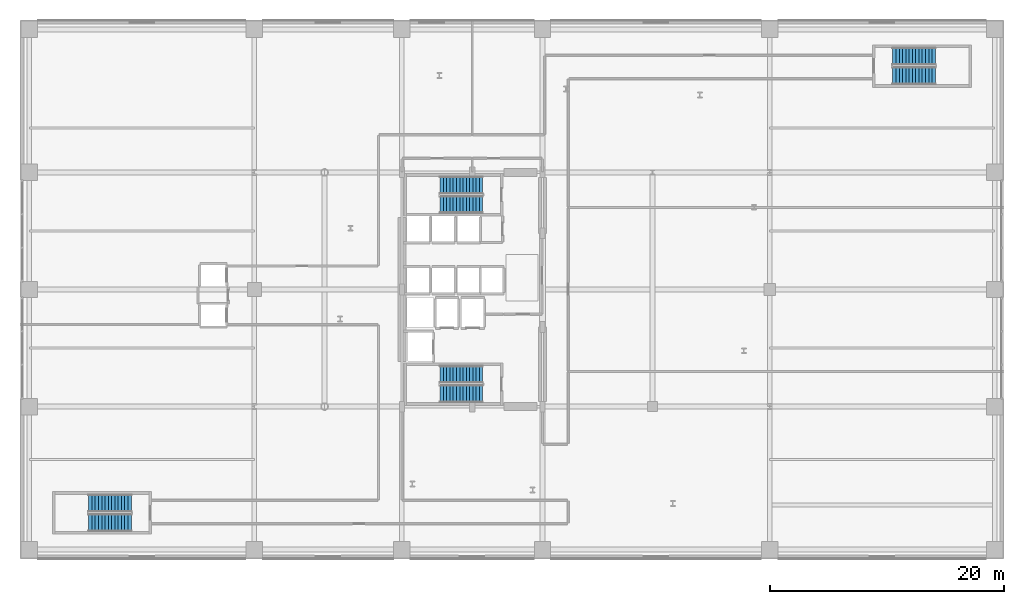
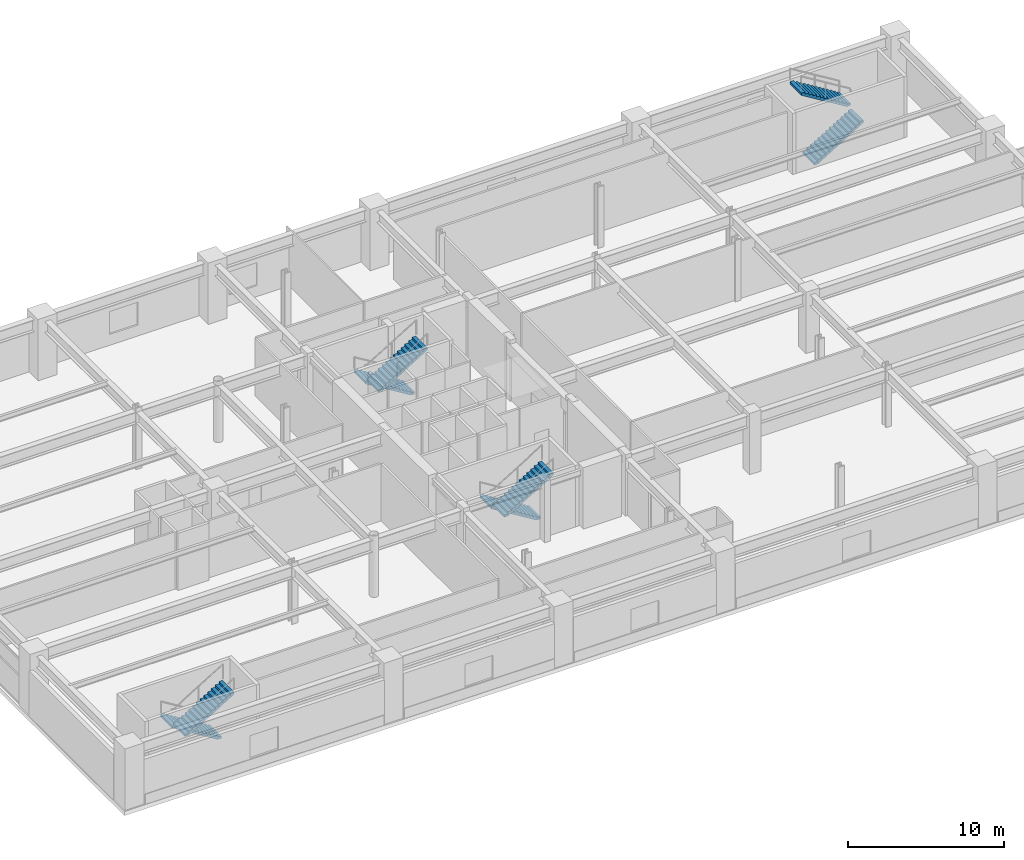
# One storey, part 23 of 28: 8 stair flights, 4 elements without a shape of their own.
"""IFC4 building model written with IfcOpenShell, lengths in metres."""

from ifc_helpers import new_model, si_unit, direction, frame, origin, place, context, subcontext, project, spatial, polyline, outline, extrude, material, layer, layer_set, type_object, element, aggregate, save


model = new_model("IFC4")

# Units and contexts
model_context = context("Model", 3, precision=1e-05, world=origin(), true_north=direction((0.0, 1.0)))
body_context = subcontext(model_context, "Body", "Model", "MODEL_VIEW")
ifc_project = project(units=[si_unit("LENGTHUNIT", "METRE"), si_unit("AREAUNIT", "SQUARE_METRE"), si_unit("VOLUMEUNIT", "CUBIC_METRE"), si_unit("PLANEANGLEUNIT", "RADIAN"), si_unit("MASSUNIT", "GRAM", prefix="KILO")], contexts=[model_context])

# Site, building, storey
site_placement = place(None, origin())
site = spatial("IfcSite", under=ifc_project, at=site_placement, CompositionType="ELEMENT")
building_placement = place(site_placement, origin())
building = spatial("IfcBuilding", under=site, at=building_placement, Name="Soratama Intermodal Tower", CompositionType="ELEMENT")
storey_placement = place(building_placement, frame((0.0, 0.0, 11.39990234375)))
storey = spatial("IfcBuildingStorey", under=building, at=storey_placement, Name="L02", CompositionType="ELEMENT", Elevation=11.39990234375)

# Stair, stair flights
ifc_material_1 = material(Name="Concrete f'c 42 MPa", Category="concrete")
stair_type = type_object("IfcStairType", Name="ST-CORE-DOGLEG", PredefinedType="HALF_TURN_STAIR", material=ifc_material_1)
stair_1_placement = place(storey_placement, origin())
stair_1 = element("IfcStair", 1, at=stair_1_placement, inside=storey, type_object=stair_type, Name="L02 ST-1", PredefinedType="HALF_TURN_STAIR")
ifc_material_2 = material(Name="Precast concrete f'c 40 MPa", Category="concrete")
ifc_layer = layer(ifc_material_2, 0.199951171875)
ifc_layer_set = layer_set([ifc_layer], Name="Precast concrete f'c 40 MPa")
stair_flight_type = type_object("IfcStairFlightType", Name="SF-FLIGHT-RC", PredefinedType="STRAIGHT", material=ifc_layer_set)
stair_flight_1_placement = place(storey_placement, frame((39.5, 17.75, 0.0), z_axis=(0.0, 0.0, 1.0), x_axis=(-1.0, 0.0, 0.0)))
stair_flight_1 = element("IfcStairFlight", 2, at=stair_flight_1_placement, type_object=stair_flight_type, Name="ST-1 flight 1", NumberOfRisers=14, NumberOfTreads=13, PredefinedType="STRAIGHT", RiserHeight=0.171428571, TreadLength=0.28, context=body_context, shape_type="SweptSolid", body=[
    extrude(outline(polyline([(0.0, 0.0), (0.0, 0.17138671875), (0.280029296875, 0.17138671875), (0.280029296875, 0.3427734375), (0.56005859375, 0.3427734375), (0.56005859375, 0.514404296875), (0.840087890625, 0.514404296875), (0.840087890625, 0.685791015625), (1.1201171875, 0.685791015625), (1.1201171875, 0.857177734375), (1.39990234375, 0.857177734375), (1.39990234375, 1.028564453125), (1.679931640625, 1.028564453125), (1.679931640625, 1.199951171875), (1.9599609375, 1.199951171875), (1.9599609375, 1.371337890625), (2.239990234375, 1.371337890625), (2.239990234375, 1.54296875), (2.52001953125, 1.54296875), (2.52001953125, 1.71435546875), (2.800048828125, 1.71435546875), (2.800048828125, 1.8857421875), (3.080078125, 1.8857421875), (3.080078125, 2.05712890625), (3.360107421875, 2.05712890625), (3.360107421875, 2.228515625), (3.639892578125, 2.228515625), (3.639892578125, 2.39990234375), (3.639892578125, 2.052734375), (0.287109375, 0.0), (0.0, 0.0)])), frame((0.0, 0.75, 0.0), z_axis=(0.0, -1.0, 0.0), x_axis=(1.0, 0.0, 0.0)), (0.0, 0.0, 1.0), 1.5),
])
stair_flight_2_placement = place(storey_placement, frame((35.860107421875, 16.10009765625, 2.400146484375), z_axis=(0.0, 0.0, 1.0), x_axis=(1.0, 0.0, 0.0)))
stair_flight_2 = element("IfcStairFlight", 3, at=stair_flight_2_placement, type_object=stair_flight_type, Name="ST-1 flight 2", NumberOfRisers=14, NumberOfTreads=13, PredefinedType="STRAIGHT", RiserHeight=0.171428571, TreadLength=0.28, context=body_context, shape_type="SweptSolid", body=[
    extrude(outline(polyline([(0.0, 0.0), (0.0, 0.17138671875), (0.280029296875, 0.17138671875), (0.280029296875, 0.3427734375), (0.56005859375, 0.3427734375), (0.56005859375, 0.514404296875), (0.840087890625, 0.514404296875), (0.840087890625, 0.685791015625), (1.1201171875, 0.685791015625), (1.1201171875, 0.857177734375), (1.39990234375, 0.857177734375), (1.39990234375, 1.028564453125), (1.679931640625, 1.028564453125), (1.679931640625, 1.199951171875), (1.9599609375, 1.199951171875), (1.9599609375, 1.371337890625), (2.239990234375, 1.371337890625), (2.239990234375, 1.54296875), (2.52001953125, 1.54296875), (2.52001953125, 1.71435546875), (2.800048828125, 1.71435546875), (2.800048828125, 1.8857421875), (3.080078125, 1.8857421875), (3.080078125, 2.05712890625), (3.360107421875, 2.05712890625), (3.360107421875, 2.228515625), (3.639892578125, 2.228515625), (3.639892578125, 2.39990234375), (3.639892578125, 2.052734375), (0.287109375, 0.0), (0.0, 0.0)])), frame((0.0, 0.75, 0.0), z_axis=(0.0, -1.0, 0.0), x_axis=(1.0, 0.0, 0.0)), (0.0, 0.0, 1.0), 1.5),
])
aggregate(stair_1, [stair_flight_1, stair_flight_2])

stair_2_placement = place(storey_placement, origin())
stair_2 = element("IfcStair", 4, at=stair_2_placement, inside=storey, type_object=stair_type, Name="L02 ST-2", PredefinedType="HALF_TURN_STAIR")
stair_flight_3_placement = place(storey_placement, frame((39.5, 33.89990234375, 0.0), z_axis=(0.0, 0.0, 1.0), x_axis=(-1.0, 0.0, 0.0)))
stair_flight_3 = element("IfcStairFlight", 5, at=stair_flight_3_placement, type_object=stair_flight_type, Name="ST-2 flight 1", NumberOfRisers=14, NumberOfTreads=13, PredefinedType="STRAIGHT", RiserHeight=0.171428571, TreadLength=0.28, context=body_context, shape_type="SweptSolid", body=[
    extrude(outline(polyline([(0.0, 0.0), (0.0, 0.17138671875), (0.280029296875, 0.17138671875), (0.280029296875, 0.3427734375), (0.56005859375, 0.3427734375), (0.56005859375, 0.514404296875), (0.840087890625, 0.514404296875), (0.840087890625, 0.685791015625), (1.1201171875, 0.685791015625), (1.1201171875, 0.857177734375), (1.39990234375, 0.857177734375), (1.39990234375, 1.028564453125), (1.679931640625, 1.028564453125), (1.679931640625, 1.199951171875), (1.9599609375, 1.199951171875), (1.9599609375, 1.371337890625), (2.239990234375, 1.371337890625), (2.239990234375, 1.54296875), (2.52001953125, 1.54296875), (2.52001953125, 1.71435546875), (2.800048828125, 1.71435546875), (2.800048828125, 1.8857421875), (3.080078125, 1.8857421875), (3.080078125, 2.05712890625), (3.360107421875, 2.05712890625), (3.360107421875, 2.228515625), (3.639892578125, 2.228515625), (3.639892578125, 2.39990234375), (3.639892578125, 2.052734375), (0.287109375, 0.0), (0.0, 0.0)])), frame((0.0, 0.75, 0.0), z_axis=(0.0, -1.0, 0.0), x_axis=(1.0, 0.0, 0.0)), (0.0, 0.0, 1.0), 1.5),
])
stair_flight_4_placement = place(storey_placement, frame((35.860107421875, 32.25, 2.400146484375), z_axis=(0.0, 0.0, 1.0), x_axis=(1.0, 0.0, 0.0)))
stair_flight_4 = element("IfcStairFlight", 6, at=stair_flight_4_placement, type_object=stair_flight_type, Name="ST-2 flight 2", NumberOfRisers=14, NumberOfTreads=13, PredefinedType="STRAIGHT", RiserHeight=0.171428571, TreadLength=0.28, context=body_context, shape_type="SweptSolid", body=[
    extrude(outline(polyline([(0.0, 0.0), (0.0, 0.17138671875), (0.280029296875, 0.17138671875), (0.280029296875, 0.3427734375), (0.56005859375, 0.3427734375), (0.56005859375, 0.514404296875), (0.840087890625, 0.514404296875), (0.840087890625, 0.685791015625), (1.1201171875, 0.685791015625), (1.1201171875, 0.857177734375), (1.39990234375, 0.857177734375), (1.39990234375, 1.028564453125), (1.679931640625, 1.028564453125), (1.679931640625, 1.199951171875), (1.9599609375, 1.199951171875), (1.9599609375, 1.371337890625), (2.239990234375, 1.371337890625), (2.239990234375, 1.54296875), (2.52001953125, 1.54296875), (2.52001953125, 1.71435546875), (2.800048828125, 1.71435546875), (2.800048828125, 1.8857421875), (3.080078125, 1.8857421875), (3.080078125, 2.05712890625), (3.360107421875, 2.05712890625), (3.360107421875, 2.228515625), (3.639892578125, 2.228515625), (3.639892578125, 2.39990234375), (3.639892578125, 2.052734375), (0.287109375, 0.0), (0.0, 0.0)])), frame((0.0, 0.75, 0.0), z_axis=(0.0, -1.0, 0.0), x_axis=(1.0, 0.0, 0.0)), (0.0, 0.0, 1.0), 1.5),
])
aggregate(stair_2, [stair_flight_3, stair_flight_4])

stair_3_placement = place(storey_placement, origin())
stair_3 = element("IfcStair", 7, at=stair_3_placement, inside=storey, type_object=stair_type, Name="L02 ST-3", PredefinedType="HALF_TURN_STAIR")
stair_flight_5_placement = place(storey_placement, frame((9.5, 6.75, 0.0), z_axis=(0.0, 0.0, 1.0), x_axis=(-1.0, 0.0, 0.0)))
stair_flight_5 = element("IfcStairFlight", 8, at=stair_flight_5_placement, type_object=stair_flight_type, Name="ST-3 flight 1", NumberOfRisers=14, NumberOfTreads=13, PredefinedType="STRAIGHT", RiserHeight=0.171428571, TreadLength=0.28, context=body_context, shape_type="SweptSolid", body=[
    extrude(outline(polyline([(0.0, 0.0), (0.0, 0.17138671875), (0.280029296875, 0.17138671875), (0.280029296875, 0.3427734375), (0.56005859375, 0.3427734375), (0.56005859375, 0.514404296875), (0.840087890625, 0.514404296875), (0.840087890625, 0.685791015625), (1.1201171875, 0.685791015625), (1.1201171875, 0.857177734375), (1.39990234375, 0.857177734375), (1.39990234375, 1.028564453125), (1.679931640625, 1.028564453125), (1.679931640625, 1.199951171875), (1.9599609375, 1.199951171875), (1.9599609375, 1.371337890625), (2.239990234375, 1.371337890625), (2.239990234375, 1.54296875), (2.52001953125, 1.54296875), (2.52001953125, 1.71435546875), (2.800048828125, 1.71435546875), (2.800048828125, 1.8857421875), (3.080078125, 1.8857421875), (3.080078125, 2.05712890625), (3.360107421875, 2.05712890625), (3.360107421875, 2.228515625), (3.639892578125, 2.228515625), (3.639892578125, 2.39990234375), (3.639892578125, 2.052734375), (0.287109375, 0.0), (0.0, 0.0)])), frame((0.0, 0.75, 0.0), z_axis=(0.0, -1.0, 0.0), x_axis=(1.0, 0.0, 0.0)), (0.0, 0.0, 1.0), 1.5),
])
stair_flight_6_placement = place(storey_placement, frame((5.860107421875, 5.10009765625, 2.400146484375), z_axis=(0.0, 0.0, 1.0), x_axis=(1.0, 0.0, 0.0)))
stair_flight_6 = element("IfcStairFlight", 9, at=stair_flight_6_placement, type_object=stair_flight_type, Name="ST-3 flight 2", NumberOfRisers=14, NumberOfTreads=13, PredefinedType="STRAIGHT", RiserHeight=0.171428571, TreadLength=0.28, context=body_context, shape_type="SweptSolid", body=[
    extrude(outline(polyline([(0.0, 0.0), (0.0, 0.17138671875), (0.280029296875, 0.17138671875), (0.280029296875, 0.3427734375), (0.56005859375, 0.3427734375), (0.56005859375, 0.514404296875), (0.840087890625, 0.514404296875), (0.840087890625, 0.685791015625), (1.1201171875, 0.685791015625), (1.1201171875, 0.857177734375), (1.39990234375, 0.857177734375), (1.39990234375, 1.028564453125), (1.679931640625, 1.028564453125), (1.679931640625, 1.199951171875), (1.9599609375, 1.199951171875), (1.9599609375, 1.371337890625), (2.239990234375, 1.371337890625), (2.239990234375, 1.54296875), (2.52001953125, 1.54296875), (2.52001953125, 1.71435546875), (2.800048828125, 1.71435546875), (2.800048828125, 1.8857421875), (3.080078125, 1.8857421875), (3.080078125, 2.05712890625), (3.360107421875, 2.05712890625), (3.360107421875, 2.228515625), (3.639892578125, 2.228515625), (3.639892578125, 2.39990234375), (3.639892578125, 2.052734375), (0.287109375, 0.0), (0.0, 0.0)])), frame((0.0, 0.75, 0.0), z_axis=(0.0, -1.0, 0.0), x_axis=(1.0, 0.0, 0.0)), (0.0, 0.0, 1.0), 1.5),
])
aggregate(stair_3, [stair_flight_5, stair_flight_6])

stair_4_placement = place(storey_placement, origin())
stair_4 = element("IfcStair", 10, at=stair_4_placement, inside=storey, type_object=stair_type, Name="L02 ST-4", PredefinedType="HALF_TURN_STAIR")
stair_flight_7_placement = place(storey_placement, frame((74.5, 43.25, 0.0), z_axis=(0.0, 0.0, 1.0), x_axis=(1.0, 0.0, 0.0)))
stair_flight_7 = element("IfcStairFlight", 11, at=stair_flight_7_placement, type_object=stair_flight_type, Name="ST-4 flight 1", NumberOfRisers=14, NumberOfTreads=13, PredefinedType="STRAIGHT", RiserHeight=0.171428571, TreadLength=0.28, context=body_context, shape_type="SweptSolid", body=[
    extrude(outline(polyline([(0.0, 0.0), (0.0, 0.17138671875), (0.280029296875, 0.17138671875), (0.280029296875, 0.3427734375), (0.56005859375, 0.3427734375), (0.56005859375, 0.514404296875), (0.840087890625, 0.514404296875), (0.840087890625, 0.685791015625), (1.1201171875, 0.685791015625), (1.1201171875, 0.857177734375), (1.39990234375, 0.857177734375), (1.39990234375, 1.028564453125), (1.679931640625, 1.028564453125), (1.679931640625, 1.199951171875), (1.9599609375, 1.199951171875), (1.9599609375, 1.371337890625), (2.239990234375, 1.371337890625), (2.239990234375, 1.54296875), (2.52001953125, 1.54296875), (2.52001953125, 1.71435546875), (2.800048828125, 1.71435546875), (2.800048828125, 1.8857421875), (3.080078125, 1.8857421875), (3.080078125, 2.05712890625), (3.360107421875, 2.05712890625), (3.360107421875, 2.228515625), (3.639892578125, 2.228515625), (3.639892578125, 2.39990234375), (3.639892578125, 2.052734375), (0.287109375, 0.0), (0.0, 0.0)])), frame((0.0, 0.75, 0.0), z_axis=(0.0, -1.0, 0.0), x_axis=(1.0, 0.0, 0.0)), (0.0, 0.0, 1.0), 1.5),
])
stair_flight_8_placement = place(storey_placement, frame((78.139892578125, 44.89990234375, 2.400146484375), z_axis=(0.0, 0.0, 1.0), x_axis=(-1.0, 0.0, 0.0)))
stair_flight_8 = element("IfcStairFlight", 12, at=stair_flight_8_placement, type_object=stair_flight_type, Name="ST-4 flight 2", NumberOfRisers=14, NumberOfTreads=13, PredefinedType="STRAIGHT", RiserHeight=0.171428571, TreadLength=0.28, context=body_context, shape_type="SweptSolid", body=[
    extrude(outline(polyline([(0.0, 0.0), (0.0, 0.17138671875), (0.280029296875, 0.17138671875), (0.280029296875, 0.3427734375), (0.56005859375, 0.3427734375), (0.56005859375, 0.514404296875), (0.840087890625, 0.514404296875), (0.840087890625, 0.685791015625), (1.1201171875, 0.685791015625), (1.1201171875, 0.857177734375), (1.39990234375, 0.857177734375), (1.39990234375, 1.028564453125), (1.679931640625, 1.028564453125), (1.679931640625, 1.199951171875), (1.9599609375, 1.199951171875), (1.9599609375, 1.371337890625), (2.239990234375, 1.371337890625), (2.239990234375, 1.54296875), (2.52001953125, 1.54296875), (2.52001953125, 1.71435546875), (2.800048828125, 1.71435546875), (2.800048828125, 1.8857421875), (3.080078125, 1.8857421875), (3.080078125, 2.05712890625), (3.360107421875, 2.05712890625), (3.360107421875, 2.228515625), (3.639892578125, 2.228515625), (3.639892578125, 2.39990234375), (3.639892578125, 2.052734375), (0.287109375, 0.0), (0.0, 0.0)])), frame((0.0, 0.75, 0.0), z_axis=(0.0, -1.0, 0.0), x_axis=(1.0, 0.0, 0.0)), (0.0, 0.0, 1.0), 1.5),
])
aggregate(stair_4, [stair_flight_7, stair_flight_8])

save(model, "model.ifc")
